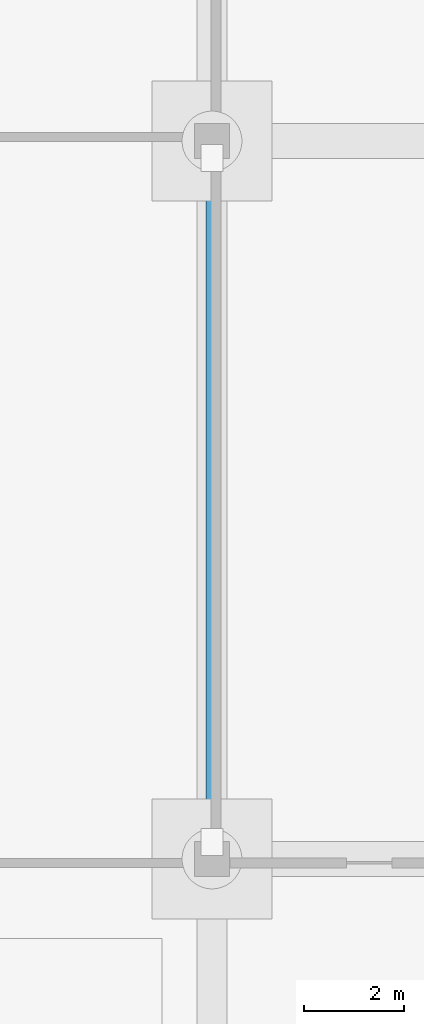
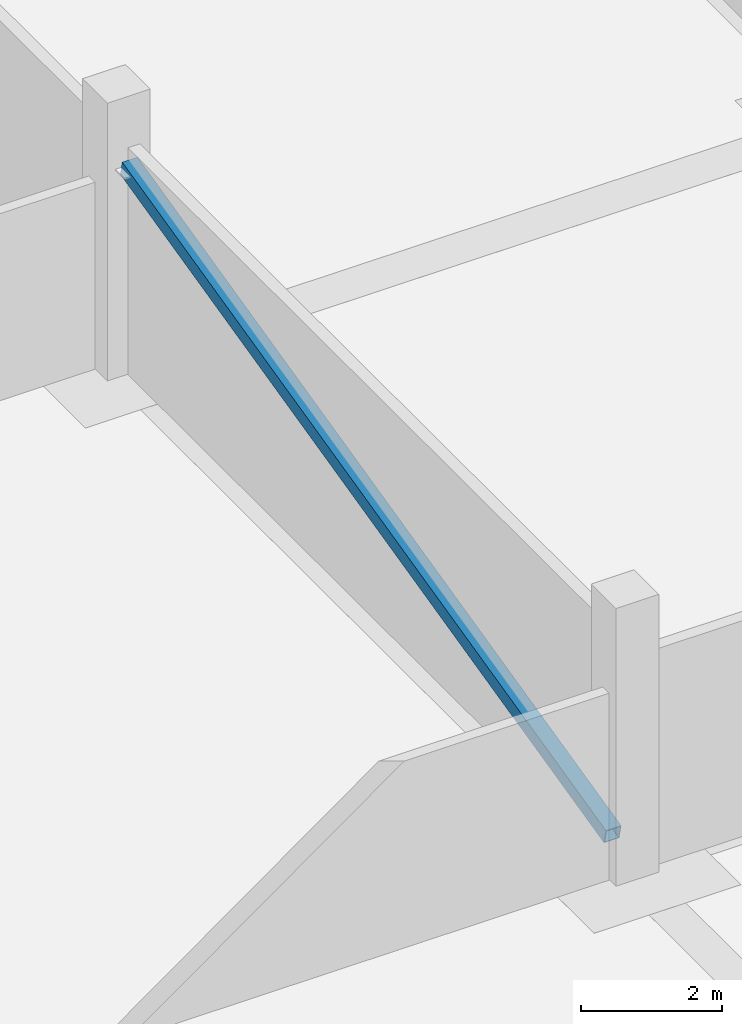
# One storey, part 20 of 82: 1 member.
"""IFC4 building model written with IfcOpenShell, lengths in metres."""

from ifc_helpers import new_model, si_unit, direction, frame, origin, origin_2d, place, context, subcontext, project, spatial, hollow_rectangle, extrude, material, material_profile, profile_set, type_object, element, save


model = new_model("IFC4")

# Units and contexts
model_context = context("Model", 3, precision=1e-05, world=origin(), true_north=direction((0.0, 1.0)))
body_context = subcontext(model_context, "Body", "Model", "MODEL_VIEW")
ifc_project = project(units=[si_unit("LENGTHUNIT", "METRE"), si_unit("AREAUNIT", "SQUARE_METRE"), si_unit("VOLUMEUNIT", "CUBIC_METRE"), si_unit("PLANEANGLEUNIT", "RADIAN"), si_unit("MASSUNIT", "GRAM", prefix="KILO")], contexts=[model_context])

# Site, building, storey
site_placement = place(None, origin())
site = spatial("IfcSite", under=ifc_project, at=site_placement, CompositionType="ELEMENT")
building_placement = place(site_placement, origin())
building = spatial("IfcBuilding", under=site, at=building_placement, Name="Kelmvaro Bay Concert Hall", CompositionType="ELEMENT")
storey_placement = place(building_placement, origin())
storey = spatial("IfcBuildingStorey", under=building, at=storey_placement, Name="L00", CompositionType="ELEMENT", Elevation=0.0)

# Member
ifc_material = material(Name="Steel ASTM A500 Grade C", Category="steel")
ifc_material_profile = material_profile(ifc_material, hollow_rectangle(XDim=0.25, YDim=0.25, WallThickness=0.010009765625, at=origin_2d()), Name="HSS250X250X10")
ifc_profile_set = profile_set([ifc_material_profile], Name="Steel ASTM A500 Grade C")
member_type = type_object("IfcMemberType", Name="Upper Pavilion Wind Brace HSS250x250x10", PredefinedType="BRACE", material=ifc_profile_set)
member_placement = place(storey_placement, frame((36.0, 15.951904296875, 0.350341796875), z_axis=(0.0, 0.97299311022, 0.230834155759), x_axis=(-1.0, 0.0, 0.0)))
element("IfcMember", 1, at=member_placement, inside=storey, type_object=member_type, Name="L00 Lateral Diagonal Brace V3-E", PredefinedType="BRACE", context=body_context, shape_type="SweptSolid", body=[
    extrude(hollow_rectangle(XDim=0.25, YDim=0.25, WallThickness=0.010009765625, at=origin_2d()), origin(), (0.0, 0.0, 1.0), 14.076171875),
])

save(model, "model.ifc")
